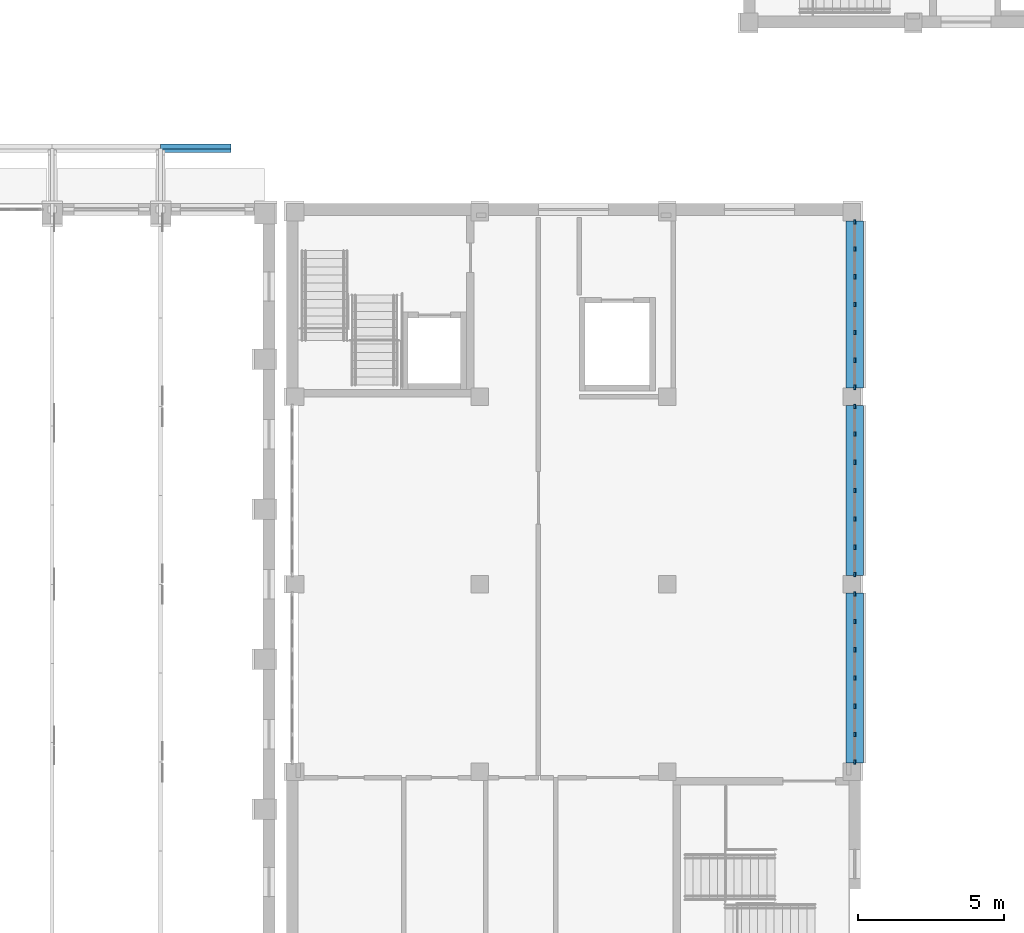
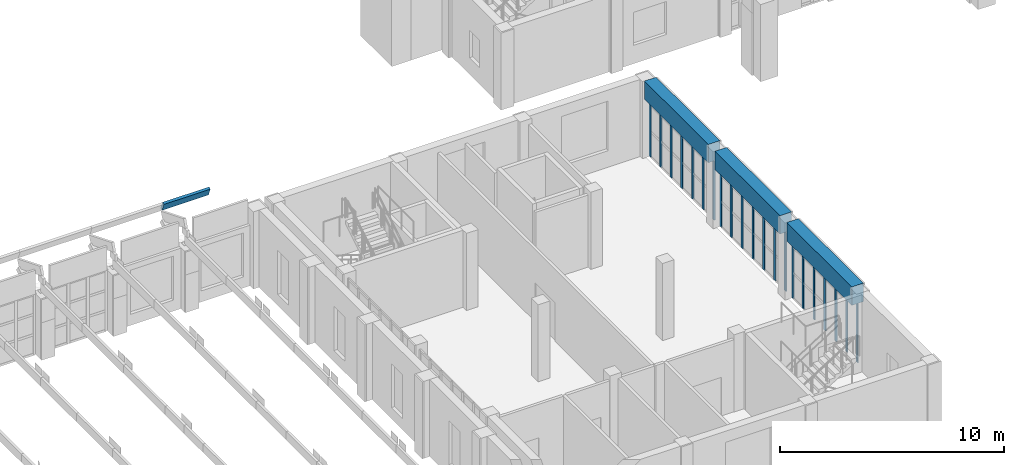
# One storey, part 16 of 99: 22 members, 3 beams, 3 elements without a shape of their own.
"""IFC4 building model written with IfcOpenShell, lengths in metres."""

import ifcopenshell
import ifcopenshell.guid

model = None  # the IFC model being written
_history = None  # IfcOwnerHistory: only IFC2X3 demands one
_inside = {}  # id of a spatial element -> (the spatial element, [elements in it])
_under = {}  # id of a project, library or spatial element -> (it, [spatial elements below it])
_declared = {}  # id of a project -> (the project, [libraries it declares])
_typed = {}  # id of a type object -> (the type object, [elements of that type])
_made_of = {}  # id of a material, layer set ... -> (it, [elements and type objects made of it])


def new_model(schema):
    """Start an empty IFC model of exactly this schema.

    Asked for "IFC4X3", IfcOpenShell would pick the latest addendum, in which some entities
    have other attributes; the version numbers below select the first issue.
    IFC2X3 requires an IfcOwnerHistory on every rooted entity: one is made here for all.
    """
    global model, _history
    if schema == "IFC4X3":
        model = ifcopenshell.file(schema_version=(4, 3, 0, 0))
    else:
        model = ifcopenshell.file(schema=schema)
    _inside.clear()
    _under.clear()
    _declared.clear()
    _typed.clear()
    _made_of.clear()
    _history = None
    if model.schema == "IFC2X3":
        org = make("IfcOrganization", Name="unknown")
        user = make(
            "IfcPersonAndOrganization",
            ThePerson=make("IfcPerson", FamilyName="unknown"),
            TheOrganization=org,
        )
        app = make(
            "IfcApplication",
            ApplicationDeveloper=org,
            Version="unknown",
            ApplicationFullName="unknown",
            ApplicationIdentifier="unknown",
        )
        _history = make(
            "IfcOwnerHistory",
            OwningUser=user,
            OwningApplication=app,
            ChangeAction="ADDED",
            CreationDate=0,
        )
    return model


def make(cls, **values):
    """One entity of the class cls with the attributes given. An attribute that is None is left unset."""
    return model.create_entity(
        cls, **{name: value for name, value in values.items() if value is not None}
    )


def rooted(cls, **values):
    """An entity with a GlobalId (a new one), such as an element, a storey or a relation."""
    return make(cls, GlobalId=ifcopenshell.guid.new(), OwnerHistory=_history, **values)


def si_unit(unit_type, name, prefix=None):
    """IfcSIUnit, for example si_unit("LENGTHUNIT", "METRE", prefix="MILLI")."""
    return make("IfcSIUnit", UnitType=unit_type, Prefix=prefix, Name=name)


def assignment(units):
    """IfcUnitAssignment: the units of a project."""
    return None if units is None else make("IfcUnitAssignment", Units=units)


def point(xyz):
    """IfcCartesianPoint."""
    return None if xyz is None else make("IfcCartesianPoint", Coordinates=xyz)


def direction(xyz):
    """IfcDirection."""
    return None if xyz is None else make("IfcDirection", DirectionRatios=xyz)


def frame(location, z_axis=None, x_axis=None):
    """IfcAxis2Placement3D, a coordinate frame: its origin and axes. An axis left out is left unset."""
    return make(
        "IfcAxis2Placement3D",
        Location=point(location),
        Axis=direction(z_axis),
        RefDirection=direction(x_axis),
    )


def frame_2d(location, x_axis=None):
    """IfcAxis2Placement2D, a coordinate frame in the plane: its origin and x axis."""
    return make(
        "IfcAxis2Placement2D", Location=point(location), RefDirection=direction(x_axis)
    )


def origin():
    """The frame at (0, 0, 0) with its axes left unset."""
    return frame((0.0, 0.0, 0.0))


def origin_2d():
    """The frame at (0, 0) in the plane with its x axis left unset."""
    return frame_2d((0.0, 0.0))


def place(relative_to, where):
    """IfcLocalPlacement: puts the frame where relative to a parent placement (None: the world)."""
    return make(
        "IfcLocalPlacement", PlacementRelTo=relative_to, RelativePlacement=where
    )


def context(
    kind, dimensions, precision=None, world=None, true_north=None, identifier=None
):
    """IfcGeometricRepresentationContext, for example the 3D "Model" context."""
    return make(
        "IfcGeometricRepresentationContext",
        ContextIdentifier=identifier,
        ContextType=kind,
        CoordinateSpaceDimension=dimensions,
        Precision=precision,
        WorldCoordinateSystem=world,
        TrueNorth=true_north,
    )


def subcontext(parent, identifier, kind, view, scale=None):
    """IfcGeometricRepresentationSubContext, for example "Body" below "Model"."""
    return make(
        "IfcGeometricRepresentationSubContext",
        ContextIdentifier=identifier,
        ContextType=kind,
        ParentContext=parent,
        TargetScale=scale,
        TargetView=view,
    )


def project(units=None, contexts=None):
    """IfcProject with its units and contexts."""
    return rooted(
        "IfcProject",
        Name="project",
        RepresentationContexts=contexts,
        UnitsInContext=assignment(units),
    )


def spatial(cls, under=None, at=None, **own):
    """A site, building, storey or space (cls), placed at a placement, below another one or the project."""
    s = rooted(cls, ObjectPlacement=at, **own)
    if under is not None:
        _under.setdefault(under.id(), (under, []))[1].append(s)
    return s


def profile(cls, at=None, kind="AREA", **sizes):
    """A parametric profile (cls). Its sizes go by their IFC names, for example OverallWidth=200.0."""
    return make(cls, ProfileType=kind, Position=at, **sizes)


def rectangle(**sizes):
    """IfcRectangleProfileDef."""
    return profile("IfcRectangleProfileDef", **sizes)


def extrude(swept, where, along, depth):
    """IfcExtrudedAreaSolid: the profile swept, set in the frame where, extruded along a direction by depth."""
    return make(
        "IfcExtrudedAreaSolid",
        SweptArea=swept,
        Position=where,
        ExtrudedDirection=direction(along),
        Depth=depth,
    )


def shape(context_of_items, identifier, shape_type, items):
    """IfcShapeRepresentation: the items that make up one representation, for example the "Body"."""
    return make(
        "IfcShapeRepresentation",
        ContextOfItems=context_of_items,
        RepresentationIdentifier=identifier,
        RepresentationType=shape_type,
        Items=items,
    )


def material(Name=None, Category=None):
    """IfcMaterial."""
    return make("IfcMaterial", Name=Name, Category=Category)


def layer(
    of_material, thickness, ventilated=None, Name=None, Category=None, Priority=None
):
    """IfcMaterialLayer: one layer of a wall or slab, of a material (None: an air gap)."""
    return make(
        "IfcMaterialLayer",
        Material=of_material,
        LayerThickness=thickness,
        IsVentilated=ventilated,
        Name=Name,
        Category=Category,
        Priority=Priority,
    )


def layer_set(layers, Name=None):
    """IfcMaterialLayerSet."""
    return make("IfcMaterialLayerSet", MaterialLayers=layers, LayerSetName=Name)


def material_profile(
    of_material, cross_section, Name=None, Category=None, Priority=None
):
    """IfcMaterialProfile: a cross section and its material."""
    return make(
        "IfcMaterialProfile",
        Name=Name,
        Material=of_material,
        Profile=cross_section,
        Priority=Priority,
        Category=Category,
    )


def profile_set(profiles, Name=None, composite=None):
    """IfcMaterialProfileSet."""
    return make(
        "IfcMaterialProfileSet",
        Name=Name,
        MaterialProfiles=profiles,
        CompositeProfile=composite,
    )


def made_of(thing, what):
    """Note that an element or type object is made of a material, layer set ...; save() writes the relation."""
    if what is not None:
        _made_of.setdefault(what.id(), (what, []))[1].append(thing)
    return thing


def type_object(cls, material=None, **own):
    """A type object (cls), such as IfcWallType, which elements share."""
    return made_of(rooted(cls, **own), material)


def element(
    cls,
    number,
    at=None,
    inside=None,
    cuts=None,
    type_object=None,
    material=None,
    context=None,
    identifier="Body",
    shape_type=None,
    held_by="IfcProductDefinitionShape",
    body=None,
    shapes=None,
    **own,
):
    """One element of the class cls, such as IfcWall. Its Tag is "e" and its number.

    at: its placement. inside: the storey or other place that contains it. cuts: it is an
    opening in that element (IfcRelVoidsElement). A single representation is given by context,
    identifier, shape_type and body (its items); several are given by shapes. held_by: the class
    of the entity that holds the representations. save() writes the other relations.
    """
    e = rooted(cls, Tag="e%d" % number, ObjectPlacement=at, **own)
    if body is not None:
        shapes = [shape(context, identifier, shape_type, body)]
    if shapes is not None:
        e.Representation = make(held_by, Representations=shapes)
    if inside is not None:
        _inside.setdefault(inside.id(), (inside, []))[1].append(e)
    if cuts is not None:
        rooted(
            "IfcRelVoidsElement", RelatingBuildingElement=cuts, RelatedOpeningElement=e
        )
    if type_object is not None:
        _typed.setdefault(type_object.id(), (type_object, []))[1].append(e)
    return made_of(e, material)


def aggregate(whole, parts):
    """IfcRelAggregates: a whole, such as a stair, and the parts it consists of."""
    return rooted("IfcRelAggregates", RelatingObject=whole, RelatedObjects=parts)


def save(model, path):
    """Write the relations noted so far, then the file.

    IfcRelAggregates (storeys below a building ...), IfcRelContainedInSpatialStructure (elements
    in a storey), IfcRelDefinesByType, IfcRelAssociatesMaterial and IfcRelDeclares: one each for
    every whole, place, type object, material and project.
    """
    for whole, parts in _under.values():
        aggregate(whole, parts)
    for where, things in _inside.values():
        rooted(
            "IfcRelContainedInSpatialStructure",
            RelatedElements=things,
            RelatingStructure=where,
        )
    for kind, things in _typed.values():
        rooted("IfcRelDefinesByType", RelatedObjects=things, RelatingType=kind)
    for what, things in _made_of.values():
        rooted("IfcRelAssociatesMaterial", RelatedObjects=things, RelatingMaterial=what)
    for by, libraries in _declared.values():
        rooted("IfcRelDeclares", RelatingContext=by, RelatedDefinitions=libraries)
    model.write(path)


model = new_model("IFC4")

# Units and contexts
model_context = context("Model", 3, precision=1e-05, world=origin(), true_north=direction((0.0, 1.0)))
body_context = subcontext(model_context, "Body", "Model", "MODEL_VIEW")
ifc_project = project(units=[si_unit("LENGTHUNIT", "METRE"), si_unit("AREAUNIT", "SQUARE_METRE"), si_unit("VOLUMEUNIT", "CUBIC_METRE"), si_unit("PLANEANGLEUNIT", "RADIAN"), si_unit("MASSUNIT", "GRAM", prefix="KILO")], contexts=[model_context])

# Site, building, storey
site_placement = place(None, origin())
site = spatial("IfcSite", under=ifc_project, at=site_placement, CompositionType="ELEMENT")
building_placement = place(site_placement, origin())
building = spatial("IfcBuilding", under=site, at=building_placement, Name="Wasatch Bagh Community Centre", CompositionType="ELEMENT")
storey_placement = place(building_placement, frame((0.0, 0.0, 4.199951171875)))
storey = spatial("IfcBuildingStorey", under=building, at=storey_placement, Name="L01", CompositionType="ELEMENT", Elevation=4.199951171875)

# Member
ifc_material_1 = material(Name="Glulam 24F-V4 Douglas fir-larch", Category="wood")
ifc_material_profile_1 = material_profile(ifc_material_1, rectangle(XDim=0.130126953125, YDim=0.457275390625, at=origin_2d()), Name="GL 130x457")
ifc_profile_set_1 = profile_set([ifc_material_profile_1], Name="Glulam 24F-V4 Douglas fir-larch")
member_type_1 = type_object("IfcMemberType", Name="DH GL 130x457 purlin", PredefinedType="PURLIN", material=ifc_profile_set_1)
member_1_placement = place(storey_placement, frame((92.10009765625, 33.8857421875, 4.06103515625), z_axis=(1.0, 0.0, 0.0), x_axis=(0.0, 0.927183854567, 0.374606593416)))
element("IfcMember", 1, at=member_1_placement, inside=storey, type_object=member_type_1, Name="DH.PUR.N01.8", PredefinedType="PURLIN", context=body_context, shape_type="SweptSolid", body=[
    extrude(rectangle(XDim=0.130126953125, YDim=0.457275390625, at=origin_2d()), origin(), (0.0, 0.0, 1.0), 2.39990234375),
])

# Beams
ifc_material_2 = material(Name="Concrete C35", Category="concrete")
ifc_material_profile_2 = material_profile(ifc_material_2, rectangle(XDim=0.60009765625, YDim=1.0, at=origin_2d()), Name="RC 600x1000")
ifc_profile_set_2 = profile_set([ifc_material_profile_2], Name="Concrete C35")
beam_type = type_object("IfcBeamType", Name="KW RC 600x1000 beam", PredefinedType="BEAM", material=ifc_profile_set_2)
for number, where, z_axis, x_axis, name in (
    (2, (115.800048828125, 12.89990234375, 3.699951171875), (0.0, 1.0, 0.0), (-1.0, 0.0, 0.0), "KW.beam.L01.E1"),
    (3, (115.800048828125, 19.300048828125, 3.699951171875), (0.0, 1.0, 0.0), (-1.0, 0.0, 0.0), "KW.beam.L01.E2"),
):
    element("IfcBeam", number, at=place(storey_placement, frame(where, z_axis=z_axis, x_axis=x_axis)), inside=storey, type_object=beam_type, Name=name, PredefinedType="BEAM", context=body_context, shape_type="SweptSolid", body=[
        extrude(rectangle(XDim=0.60009765625, YDim=1.0, at=origin_2d()), origin(), (0.0, 0.0, 1.0), 5.800048828125),
    ])
beam_placement = place(storey_placement, frame((115.800048828125, 25.699951171875, 3.699951171875), z_axis=(0.0, 1.0, 0.0), x_axis=(-1.0, 0.0, 0.0)))
element("IfcBeam", 4, at=beam_placement, inside=storey, type_object=beam_type, Name="KW.beam.L01.E3", PredefinedType="BEAM", context=body_context, shape_type="SweptSolid", body=[
    extrude(rectangle(XDim=0.60009765625, YDim=1.0, at=origin_2d()), origin(), (0.0, 0.0, 1.0), 5.699951171875),
])

# Curtain wall, members
ifc_material_3 = material(Name="Aluminium alloy 6063-T6", Category="aluminium")
ifc_layer_1 = layer(ifc_material_3, 0.10009765625)
ifc_layer_set_1 = layer_set([ifc_layer_1], Name="Aluminium alloy 6063-T6")
curtain_wall_type_1 = type_object("IfcCurtainWallType", Name="KW-CW2", PredefinedType="NOTDEFINED", material=ifc_layer_set_1)
curtain_wall_1_placement = place(storey_placement, origin())
curtain_wall_1 = element("IfcCurtainWall", 5, at=curtain_wall_1_placement, inside=storey, type_object=curtain_wall_type_1, Name="Curtain wall KW-CW2", PredefinedType="NOTDEFINED")
ifc_material_profile_3 = material_profile(ifc_material_3, rectangle(XDim=0.06005859375, YDim=0.159912109375, at=origin_2d()), Name="AL 60x160")
ifc_profile_set_3 = profile_set([ifc_material_profile_3], Name="Aluminium alloy 6063-T6")
member_type_2 = type_object("IfcMemberType", Name="KW-CW2 mullion", PredefinedType="MULLION", material=ifc_profile_set_3)
member_2_placement = place(storey_placement, frame((115.800048828125, 12.929931640625, 0.0), z_axis=(0.0, 0.0, 1.0), x_axis=(-1.0, 0.0, 0.0)))
member_2 = element("IfcMember", 6, at=member_2_placement, type_object=member_type_2, Name="KW-CW2 mullion 1", PredefinedType="MULLION", context=body_context, shape_type="SweptSolid", body=[
    extrude(rectangle(XDim=0.06005859375, YDim=0.159912109375, at=origin_2d()), origin(), (0.0, 0.0, 1.0), 3.199951171875),
])
member_3_placement = place(storey_placement, frame((115.800048828125, 13.86669921875, 0.0), z_axis=(0.0, 0.0, 1.0), x_axis=(-1.0, 0.0, 0.0)))
member_3 = element("IfcMember", 7, at=member_3_placement, type_object=member_type_2, Name="KW-CW2 mullion 2", PredefinedType="MULLION", context=body_context, shape_type="SweptSolid", body=[
    extrude(rectangle(XDim=0.06005859375, YDim=0.159912109375, at=origin_2d()), origin(), (0.0, 0.0, 1.0), 3.199951171875),
])
member_4_placement = place(storey_placement, frame((115.800048828125, 14.833251953125, 0.0), z_axis=(0.0, 0.0, 1.0), x_axis=(-1.0, 0.0, 0.0)))
member_4 = element("IfcMember", 8, at=member_4_placement, type_object=member_type_2, Name="KW-CW2 mullion 3", PredefinedType="MULLION", context=body_context, shape_type="SweptSolid", body=[
    extrude(rectangle(XDim=0.06005859375, YDim=0.159912109375, at=origin_2d()), origin(), (0.0, 0.0, 1.0), 3.199951171875),
])
member_5_placement = place(storey_placement, frame((115.800048828125, 15.800048828125, 0.0), z_axis=(0.0, 0.0, 1.0), x_axis=(-1.0, 0.0, 0.0)))
member_5 = element("IfcMember", 9, at=member_5_placement, type_object=member_type_2, Name="KW-CW2 mullion 4", PredefinedType="MULLION", context=body_context, shape_type="SweptSolid", body=[
    extrude(rectangle(XDim=0.06005859375, YDim=0.159912109375, at=origin_2d()), origin(), (0.0, 0.0, 1.0), 3.199951171875),
])
member_6_placement = place(storey_placement, frame((115.800048828125, 16.7666015625, 0.0), z_axis=(0.0, 0.0, 1.0), x_axis=(-1.0, 0.0, 0.0)))
member_6 = element("IfcMember", 10, at=member_6_placement, type_object=member_type_2, Name="KW-CW2 mullion 5", PredefinedType="MULLION", context=body_context, shape_type="SweptSolid", body=[
    extrude(rectangle(XDim=0.06005859375, YDim=0.159912109375, at=origin_2d()), origin(), (0.0, 0.0, 1.0), 3.199951171875),
])
member_7_placement = place(storey_placement, frame((115.800048828125, 17.7333984375, 0.0), z_axis=(0.0, 0.0, 1.0), x_axis=(-1.0, 0.0, 0.0)))
member_7 = element("IfcMember", 11, at=member_7_placement, type_object=member_type_2, Name="KW-CW2 mullion 6", PredefinedType="MULLION", context=body_context, shape_type="SweptSolid", body=[
    extrude(rectangle(XDim=0.06005859375, YDim=0.159912109375, at=origin_2d()), origin(), (0.0, 0.0, 1.0), 3.199951171875),
])
member_8_placement = place(storey_placement, frame((115.800048828125, 18.669921875, 0.0), z_axis=(0.0, 0.0, 1.0), x_axis=(-1.0, 0.0, 0.0)))
member_8 = element("IfcMember", 12, at=member_8_placement, type_object=member_type_2, Name="KW-CW2 mullion 7", PredefinedType="MULLION", context=body_context, shape_type="SweptSolid", body=[
    extrude(rectangle(XDim=0.06005859375, YDim=0.159912109375, at=origin_2d()), origin(), (0.0, 0.0, 1.0), 3.199951171875),
])
aggregate(curtain_wall_1, [member_2, member_3, member_4, member_5, member_6, member_7, member_8])

curtain_wall_2_placement = place(storey_placement, origin())
curtain_wall_2 = element("IfcCurtainWall", 13, at=curtain_wall_2_placement, inside=storey, type_object=curtain_wall_type_1, Name="Curtain wall KW-CW2", PredefinedType="NOTDEFINED")
member_9_placement = place(storey_placement, frame((115.800048828125, 19.330078125, 0.0), z_axis=(0.0, 0.0, 1.0), x_axis=(-1.0, 0.0, 0.0)))
member_9 = element("IfcMember", 14, at=member_9_placement, type_object=member_type_2, Name="KW-CW2 mullion 1", PredefinedType="MULLION", context=body_context, shape_type="SweptSolid", body=[
    extrude(rectangle(XDim=0.06005859375, YDim=0.159912109375, at=origin_2d()), origin(), (0.0, 0.0, 1.0), 3.199951171875),
])
member_10_placement = place(storey_placement, frame((115.800048828125, 20.2666015625, 0.0), z_axis=(0.0, 0.0, 1.0), x_axis=(-1.0, 0.0, 0.0)))
member_10 = element("IfcMember", 15, at=member_10_placement, type_object=member_type_2, Name="KW-CW2 mullion 2", PredefinedType="MULLION", context=body_context, shape_type="SweptSolid", body=[
    extrude(rectangle(XDim=0.06005859375, YDim=0.159912109375, at=origin_2d()), origin(), (0.0, 0.0, 1.0), 3.199951171875),
])
member_11_placement = place(storey_placement, frame((115.800048828125, 21.2333984375, 0.0), z_axis=(0.0, 0.0, 1.0), x_axis=(-1.0, 0.0, 0.0)))
member_11 = element("IfcMember", 16, at=member_11_placement, type_object=member_type_2, Name="KW-CW2 mullion 3", PredefinedType="MULLION", context=body_context, shape_type="SweptSolid", body=[
    extrude(rectangle(XDim=0.06005859375, YDim=0.159912109375, at=origin_2d()), origin(), (0.0, 0.0, 1.0), 3.199951171875),
])
member_12_placement = place(storey_placement, frame((115.800048828125, 22.199951171875, 0.0), z_axis=(0.0, 0.0, 1.0), x_axis=(-1.0, 0.0, 0.0)))
member_12 = element("IfcMember", 17, at=member_12_placement, type_object=member_type_2, Name="KW-CW2 mullion 4", PredefinedType="MULLION", context=body_context, shape_type="SweptSolid", body=[
    extrude(rectangle(XDim=0.06005859375, YDim=0.159912109375, at=origin_2d()), origin(), (0.0, 0.0, 1.0), 3.199951171875),
])
member_13_placement = place(storey_placement, frame((115.800048828125, 23.166748046875, 0.0), z_axis=(0.0, 0.0, 1.0), x_axis=(-1.0, 0.0, 0.0)))
member_13 = element("IfcMember", 18, at=member_13_placement, type_object=member_type_2, Name="KW-CW2 mullion 5", PredefinedType="MULLION", context=body_context, shape_type="SweptSolid", body=[
    extrude(rectangle(XDim=0.06005859375, YDim=0.159912109375, at=origin_2d()), origin(), (0.0, 0.0, 1.0), 3.199951171875),
])
member_14_placement = place(storey_placement, frame((115.800048828125, 24.13330078125, 0.0), z_axis=(0.0, 0.0, 1.0), x_axis=(-1.0, 0.0, 0.0)))
member_14 = element("IfcMember", 19, at=member_14_placement, type_object=member_type_2, Name="KW-CW2 mullion 6", PredefinedType="MULLION", context=body_context, shape_type="SweptSolid", body=[
    extrude(rectangle(XDim=0.06005859375, YDim=0.159912109375, at=origin_2d()), origin(), (0.0, 0.0, 1.0), 3.199951171875),
])
member_15_placement = place(storey_placement, frame((115.800048828125, 25.070068359375, 0.0), z_axis=(0.0, 0.0, 1.0), x_axis=(-1.0, 0.0, 0.0)))
member_15 = element("IfcMember", 20, at=member_15_placement, type_object=member_type_2, Name="KW-CW2 mullion 7", PredefinedType="MULLION", context=body_context, shape_type="SweptSolid", body=[
    extrude(rectangle(XDim=0.06005859375, YDim=0.159912109375, at=origin_2d()), origin(), (0.0, 0.0, 1.0), 3.199951171875),
])
aggregate(curtain_wall_2, [member_9, member_10, member_11, member_12, member_13, member_14, member_15])

ifc_layer_2 = layer(ifc_material_3, 0.10009765625)
ifc_layer_set_2 = layer_set([ifc_layer_2], Name="Aluminium alloy 6063-T6")
curtain_wall_type_2 = type_object("IfcCurtainWallType", Name="KW-CW3", PredefinedType="NOTDEFINED", material=ifc_layer_set_2)
curtain_wall_3_placement = place(storey_placement, origin())
curtain_wall_3 = element("IfcCurtainWall", 21, at=curtain_wall_3_placement, inside=storey, type_object=curtain_wall_type_2, Name="Curtain wall KW-CW3", PredefinedType="NOTDEFINED")
ifc_material_profile_4 = material_profile(ifc_material_3, rectangle(XDim=0.06005859375, YDim=0.159912109375, at=origin_2d()), Name="AL 60x160")
ifc_profile_set_4 = profile_set([ifc_material_profile_4], Name="Aluminium alloy 6063-T6")
member_type_3 = type_object("IfcMemberType", Name="KW-CW3 mullion", PredefinedType="MULLION", material=ifc_profile_set_4)
member_16_placement = place(storey_placement, frame((115.800048828125, 25.72998046875, 0.0), z_axis=(0.0, 0.0, 1.0), x_axis=(-1.0, 0.0, 0.0)))
member_16 = element("IfcMember", 22, at=member_16_placement, type_object=member_type_3, Name="KW-CW3 mullion 1", PredefinedType="MULLION", context=body_context, shape_type="SweptSolid", body=[
    extrude(rectangle(XDim=0.06005859375, YDim=0.159912109375, at=origin_2d()), origin(), (0.0, 0.0, 1.0), 3.199951171875),
])
member_17_placement = place(storey_placement, frame((115.800048828125, 26.64990234375, 0.0), z_axis=(0.0, 0.0, 1.0), x_axis=(-1.0, 0.0, 0.0)))
member_17 = element("IfcMember", 23, at=member_17_placement, type_object=member_type_3, Name="KW-CW3 mullion 2", PredefinedType="MULLION", context=body_context, shape_type="SweptSolid", body=[
    extrude(rectangle(XDim=0.06005859375, YDim=0.159912109375, at=origin_2d()), origin(), (0.0, 0.0, 1.0), 3.199951171875),
])
member_18_placement = place(storey_placement, frame((115.800048828125, 27.60009765625, 0.0), z_axis=(0.0, 0.0, 1.0), x_axis=(-1.0, 0.0, 0.0)))
member_18 = element("IfcMember", 24, at=member_18_placement, type_object=member_type_3, Name="KW-CW3 mullion 3", PredefinedType="MULLION", context=body_context, shape_type="SweptSolid", body=[
    extrude(rectangle(XDim=0.06005859375, YDim=0.159912109375, at=origin_2d()), origin(), (0.0, 0.0, 1.0), 3.199951171875),
])
member_19_placement = place(storey_placement, frame((115.800048828125, 28.550048828125, 0.0), z_axis=(0.0, 0.0, 1.0), x_axis=(-1.0, 0.0, 0.0)))
member_19 = element("IfcMember", 25, at=member_19_placement, type_object=member_type_3, Name="KW-CW3 mullion 4", PredefinedType="MULLION", context=body_context, shape_type="SweptSolid", body=[
    extrude(rectangle(XDim=0.06005859375, YDim=0.159912109375, at=origin_2d()), origin(), (0.0, 0.0, 1.0), 3.199951171875),
])
member_20_placement = place(storey_placement, frame((115.800048828125, 29.5, 0.0), z_axis=(0.0, 0.0, 1.0), x_axis=(-1.0, 0.0, 0.0)))
member_20 = element("IfcMember", 26, at=member_20_placement, type_object=member_type_3, Name="KW-CW3 mullion 5", PredefinedType="MULLION", context=body_context, shape_type="SweptSolid", body=[
    extrude(rectangle(XDim=0.06005859375, YDim=0.159912109375, at=origin_2d()), origin(), (0.0, 0.0, 1.0), 3.199951171875),
])
member_21_placement = place(storey_placement, frame((115.800048828125, 30.449951171875, 0.0), z_axis=(0.0, 0.0, 1.0), x_axis=(-1.0, 0.0, 0.0)))
member_21 = element("IfcMember", 27, at=member_21_placement, type_object=member_type_3, Name="KW-CW3 mullion 6", PredefinedType="MULLION", context=body_context, shape_type="SweptSolid", body=[
    extrude(rectangle(XDim=0.06005859375, YDim=0.159912109375, at=origin_2d()), origin(), (0.0, 0.0, 1.0), 3.199951171875),
])
member_22_placement = place(storey_placement, frame((115.800048828125, 31.3701171875, 0.0), z_axis=(0.0, 0.0, 1.0), x_axis=(-1.0, 0.0, 0.0)))
member_22 = element("IfcMember", 28, at=member_22_placement, type_object=member_type_3, Name="KW-CW3 mullion 7", PredefinedType="MULLION", context=body_context, shape_type="SweptSolid", body=[
    extrude(rectangle(XDim=0.06005859375, YDim=0.159912109375, at=origin_2d()), origin(), (0.0, 0.0, 1.0), 3.199951171875),
])
aggregate(curtain_wall_3, [member_16, member_17, member_18, member_19, member_20, member_21, member_22])

save(model, "model.ifc")
